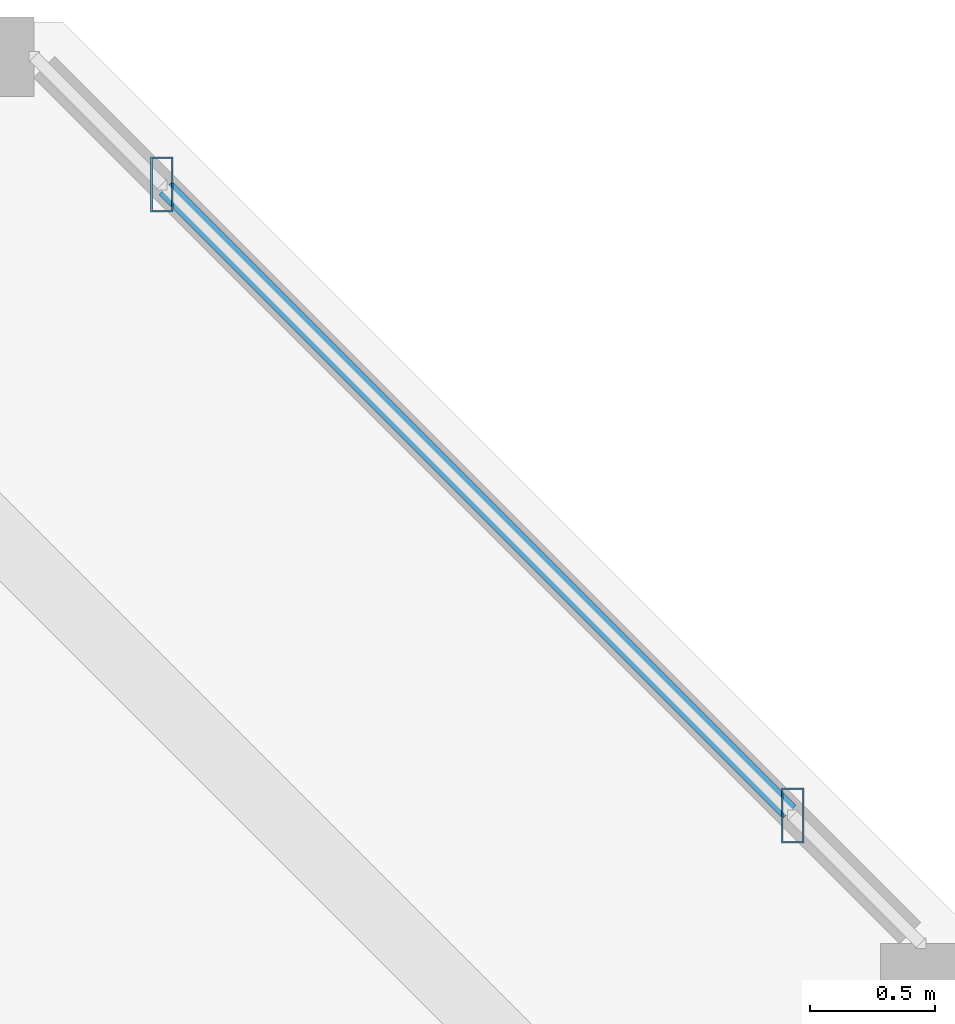
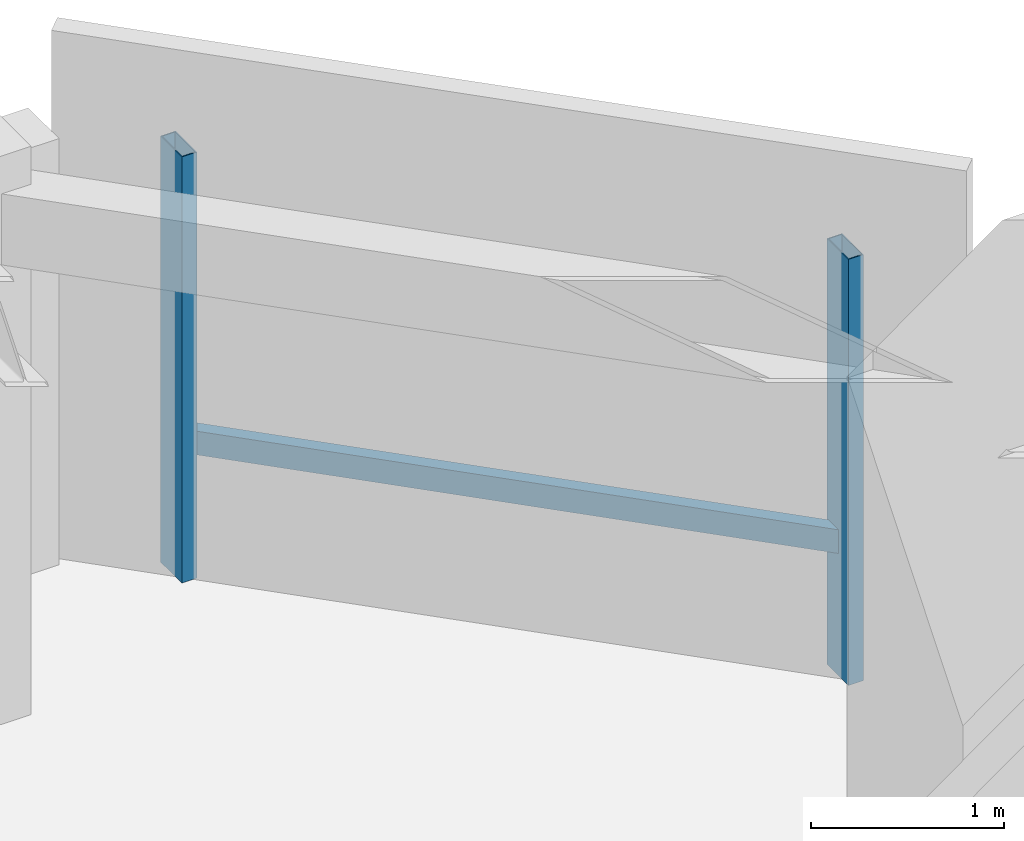
# One storey, part 17 of 33: 3 members, 1 element without a shape of its own.
"""IFC4 building model written with IfcOpenShell, lengths in metres."""

from ifc_helpers import new_model, si_unit, direction, frame, origin, origin_2d, place, context, subcontext, project, spatial, hollow_rectangle, extrude, material, material_profile, profile_set, type_object, element, aggregate, save


model = new_model("IFC4")

# Units and contexts
model_context = context("Model", 3, precision=1e-05, world=origin(), true_north=direction((0.0, 1.0)))
body_context = subcontext(model_context, "Body", "Model", "MODEL_VIEW")
ifc_project = project(units=[si_unit("LENGTHUNIT", "METRE"), si_unit("AREAUNIT", "SQUARE_METRE"), si_unit("VOLUMEUNIT", "CUBIC_METRE"), si_unit("PLANEANGLEUNIT", "RADIAN"), si_unit("MASSUNIT", "GRAM", prefix="KILO")], contexts=[model_context])

# Site, building, storey
site_placement = place(None, origin())
site = spatial("IfcSite", under=ifc_project, at=site_placement, CompositionType="ELEMENT")
building_placement = place(site_placement, origin())
building = spatial("IfcBuilding", under=site, at=building_placement, Name="Thornwick Lancets Civic Towers", CompositionType="ELEMENT")
storey_placement = place(building_placement, frame((0.0, 0.0, 105.300048828125)))
storey = spatial("IfcBuildingStorey", under=building, at=storey_placement, Name="L27", CompositionType="ELEMENT", Elevation=105.300048828125)

# Curtain wall, members
ifc_material_1 = material(Name="Low-zone chamfered-corner unitised glass curtain wall", Category="glass")
curtain_wall_type = type_object("IfcCurtainWallType", Name="CW_SYS_03", PredefinedType="NOTDEFINED", material=ifc_material_1)
curtain_wall_placement = place(storey_placement, origin())
curtain_wall = element("IfcCurtainWall", 1, at=curtain_wall_placement, inside=storey, type_object=curtain_wall_type, Name="L27 Curtain Wall CW-L27-B-E3", PredefinedType="NOTDEFINED")
ifc_material_2 = material(Name="Thermally broken bronze aluminium S355", Category="steel")
ifc_material_profile_1 = material_profile(ifc_material_2, hollow_rectangle(XDim=0.090087890625, YDim=0.219970703125, WallThickness=0.00634765625, at=origin_2d()), Name="RHS 220x90x6.3")
ifc_profile_set_1 = profile_set([ifc_material_profile_1], Name="Thermally broken bronze aluminium S355")
member_type_1 = type_object("IfcMemberType", Name="CW_MUL_220", PredefinedType="MULLION", material=ifc_profile_set_1)
member_1_placement = place(storey_placement, frame((105.948486328125, 41.916015625, 0.0), z_axis=(0.0, 0.0, 1.0), x_axis=(1.0, 0.0, 0.0)))
member_1 = element("IfcMember", 2, at=member_1_placement, type_object=member_type_1, Name="CW-L27-B-E3 Mullion 0", PredefinedType="MULLION", context=body_context, shape_type="SweptSolid", body=[
    extrude(hollow_rectangle(XDim=0.090087890625, YDim=0.219970703125, WallThickness=0.00634765625, at=origin_2d()), origin(), (0.0, 0.0, 1.0), 2.699951171875),
])
member_2_placement = place(storey_placement, frame((103.416015625, 44.448486328125, 0.0), z_axis=(0.0, 0.0, 1.0), x_axis=(1.0, 0.0, 0.0)))
member_2 = element("IfcMember", 3, at=member_2_placement, type_object=member_type_1, Name="CW-L27-B-E3 Mullion 1", PredefinedType="MULLION", context=body_context, shape_type="SweptSolid", body=[
    extrude(hollow_rectangle(XDim=0.090087890625, YDim=0.219970703125, WallThickness=0.00634765625, at=origin_2d()), origin(), (0.0, 0.0, 1.0), 2.699951171875),
])
ifc_material_profile_2 = material_profile(ifc_material_2, hollow_rectangle(XDim=0.074951171875, YDim=0.14990234375, WallThickness=0.0048828125, at=origin_2d()), Name="RHS 150x75x5")
ifc_profile_set_2 = profile_set([ifc_material_profile_2], Name="Thermally broken bronze aluminium S355")
member_type_2 = type_object("IfcMemberType", Name="CW_TRN_150", PredefinedType="USERDEFINED", material=ifc_profile_set_2)
member_3_placement = place(storey_placement, frame((105.93408203125, 41.930419921875, 0.849853515625), z_axis=(-0.707106781187, 0.707106781187, 0.0), x_axis=(-0.707106781187, -0.707106781187, 0.0)))
member_3 = element("IfcMember", 4, at=member_3_placement, type_object=member_type_2, Name="CW-L27-B-E3 Transom 0", ObjectType="TRANSOM", PredefinedType="USERDEFINED", context=body_context, shape_type="SweptSolid", body=[
    extrude(hollow_rectangle(XDim=0.074951171875, YDim=0.14990234375, WallThickness=0.0048828125, at=origin_2d()), origin(), (0.0, 0.0, 1.0), 3.540771484375),
])
aggregate(curtain_wall, [member_1, member_2, member_3])

save(model, "model.ifc")
